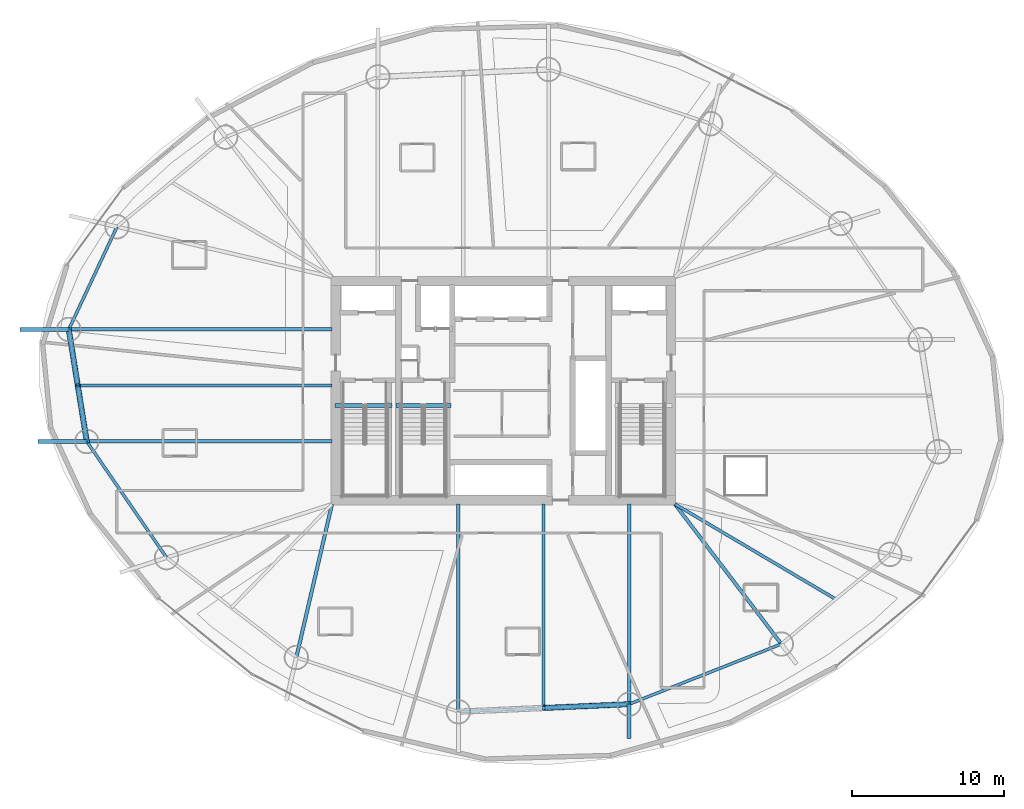
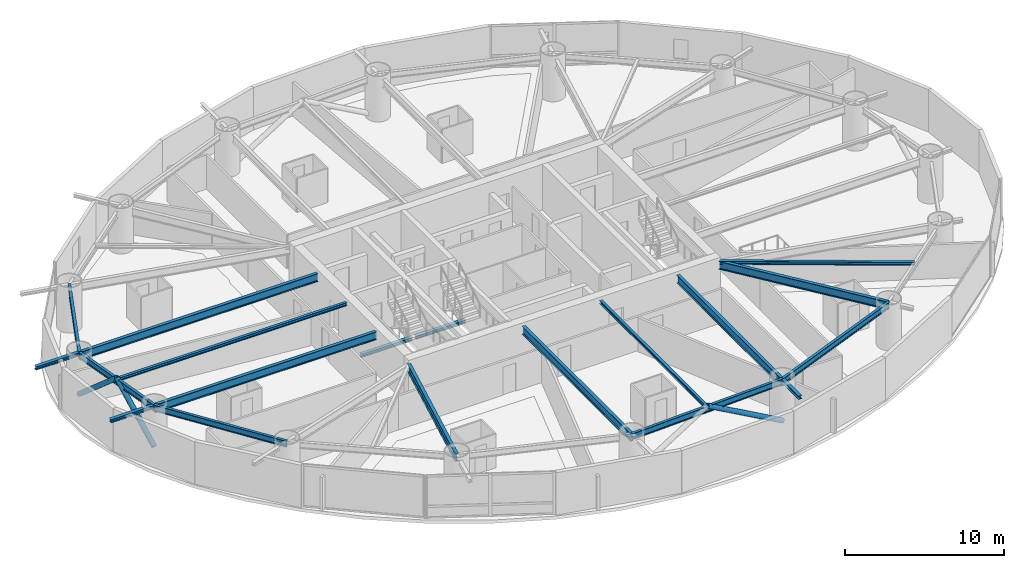
# One storey, part 5 of 20: 19 beams, 3 members.
"""IFC4 building model written with IfcOpenShell, lengths in metres."""

from ifc_helpers import new_model, si_unit, direction, frame, origin, origin_2d, place, context, subcontext, project, spatial, hollow_circle, i_section, extrude, material, material_profile, profile_set, type_object, element, save


model = new_model("IFC4")

# Units and contexts
model_context = context("Model", 3, precision=1e-05, world=origin(), true_north=direction((0.0, 1.0)))
body_context = subcontext(model_context, "Body", "Model", "MODEL_VIEW")
ifc_project = project(units=[si_unit("LENGTHUNIT", "METRE"), si_unit("AREAUNIT", "SQUARE_METRE"), si_unit("VOLUMEUNIT", "CUBIC_METRE"), si_unit("PLANEANGLEUNIT", "RADIAN"), si_unit("MASSUNIT", "GRAM", prefix="KILO")], contexts=[model_context])

# Site, building, storey
site_placement = place(None, origin())
site = spatial("IfcSite", under=ifc_project, at=site_placement, CompositionType="ELEMENT")
building_placement = place(site_placement, origin())
building = spatial("IfcBuilding", under=site, at=building_placement, Name="Bramvorn Convention Spire", CompositionType="ELEMENT")
storey_placement = place(building_placement, frame((0.0, 0.0, 58.89990234375)))
storey = spatial("IfcBuildingStorey", under=building, at=storey_placement, Name="L12", CompositionType="ELEMENT", Elevation=58.89990234375)

# Beams
ifc_material = material(Name="Steel CSA G40.21 Grade 350 (350W)", Category="steel")
ifc_material_profile_1 = material_profile(ifc_material, i_section(OverallWidth=0.201904296875, OverallDepth=0.2470703125, WebThickness=0.00732421875, FlangeThickness=0.010986328125, FilletRadius=0.011962890625, at=origin_2d()))
ifc_profile_set_1 = profile_set([ifc_material_profile_1], Name="Steel CSA G40.21 Grade 350 (350W) - W250X49")
beam_type_1 = type_object("IfcBeamType", Name="BM-W250X49", PredefinedType="JOIST", material=ifc_profile_set_1)
beam_1_placement = place(storey_placement, frame((26.75, 26.333984375, 3.126708984375), z_axis=(-1.0, 0.0, 0.0), x_axis=(0.0, -1.0, 0.0)))
element("IfcBeam", 1, at=beam_1_placement, inside=storey, type_object=beam_type_1, Name="L12 composite floor joist 09", PredefinedType="JOIST", context=body_context, shape_type="SweptSolid", body=[
    extrude(i_section(OverallWidth=0.201904296875, OverallDepth=0.2470703125, WebThickness=0.00732421875, FlangeThickness=0.010986328125, FilletRadius=0.011962890625, at=origin_2d()), origin(), (0.0, 0.0, 1.0), 16.67919921875),
])
beam_2_placement = place(storey_placement, frame((40.638427734375, 18.550048828125, 3.126708984375), z_axis=(0.0, -1.0, 0.0), x_axis=(1.0, 0.0, 0.0)))
element("IfcBeam", 2, at=beam_2_placement, inside=storey, type_object=beam_type_1, Name="L12 composite floor joist 13", PredefinedType="JOIST", context=body_context, shape_type="SweptSolid", body=[
    extrude(i_section(OverallWidth=0.201904296875, OverallDepth=0.2470703125, WebThickness=0.00732421875, FlangeThickness=0.010986328125, FilletRadius=0.011962890625, at=origin_2d()), origin(), (0.0, 0.0, 1.0), 13.372802734375),
])
beam_3_placement = place(storey_placement, frame((49.25, 18.550048828125, 3.126708984375), z_axis=(0.860664556648, -0.509172388223, 0.0), x_axis=(0.509172388223, 0.860664556648, 0.0)))
element("IfcBeam", 3, at=beam_3_placement, inside=storey, type_object=beam_type_1, Name="L12 composite floor joist 15", PredefinedType="JOIST", context=body_context, shape_type="SweptSolid", body=[
    extrude(i_section(OverallWidth=0.201904296875, OverallDepth=0.2470703125, WebThickness=0.00732421875, FlangeThickness=0.010986328125, FilletRadius=0.011962890625, at=origin_2d()), origin(), (0.0, 0.0, 1.0), 12.25048828125),
])
ifc_material_profile_2 = material_profile(ifc_material, i_section(OverallWidth=0.25390625, OverallDepth=0.2529296875, WebThickness=0.008544921875, FlangeThickness=0.01416015625, FilletRadius=0.011962890625, at=origin_2d()))
ifc_profile_set_2 = profile_set([ifc_material_profile_2], Name="Steel CSA G40.21 Grade 350 (350W) - W250X73")
beam_type_2 = type_object("IfcBeamType", Name="BM-W250X73", PredefinedType="BEAM", material=ifc_profile_set_2)
for number, where, z_axis, x_axis, name in (
    (4, (9.480224609375, 30.00830078125, 3.12353515625), (-1.0, 0.0, 0.0), (0.0, -1.0, 0.0), "L12 slab-edge cantilever tip beam MC09"),
    (5, (10.661376953125, 22.659912109375, 3.12353515625), (-1.0, 0.0, 0.0), (0.0, -1.0, 0.0), "L12 slab-edge cantilever tip beam MC10"),
):
    element("IfcBeam", number, at=place(storey_placement, frame(where, z_axis=z_axis, x_axis=x_axis)), inside=storey, type_object=beam_type_2, Name=name, PredefinedType="BEAM", context=body_context, shape_type="SweptSolid", body=[
        extrude(i_section(OverallWidth=0.25390625, OverallDepth=0.2529296875, WebThickness=0.008544921875, FlangeThickness=0.01416015625, FilletRadius=0.011962890625, at=origin_2d()), origin(), (0.0, 0.0, 1.0), 3.199951171875),
    ])
beam_4_placement = place(storey_placement, frame((46.23779296875, 5.42333984375, 3.12353515625), z_axis=(0.0, -1.0, 0.0), x_axis=(1.0, 0.0, 0.0)))
element("IfcBeam", 6, at=beam_4_placement, inside=storey, type_object=beam_type_2, Name="L12 slab-edge cantilever tip beam MC14", PredefinedType="BEAM", context=body_context, shape_type="SweptSolid", body=[
    extrude(i_section(OverallWidth=0.25390625, OverallDepth=0.2529296875, WebThickness=0.008544921875, FlangeThickness=0.01416015625, FilletRadius=0.011962890625, at=origin_2d()), origin(), (0.0, 0.0, 1.0), 2.251220703125),
])
beam_5_placement = place(storey_placement, frame((26.949951171875, 25.010009765625, -0.12646484375), z_axis=(1.0, 0.0, 0.0), x_axis=(0.0, 1.0, 0.0)))
element("IfcBeam", 7, at=beam_5_placement, inside=storey, type_object=beam_type_2, Name="L12 ST1 stair arrival header beam", PredefinedType="BEAM", context=body_context, shape_type="SweptSolid", body=[
    extrude(i_section(OverallWidth=0.25390625, OverallDepth=0.2529296875, WebThickness=0.008544921875, FlangeThickness=0.01416015625, FilletRadius=0.011962890625, at=origin_2d()), origin(), (0.0, 0.0, 1.0), 3.739990234375),
])
beam_6_placement = place(storey_placement, frame((30.949951171875, 25.010009765625, -0.12646484375), z_axis=(1.0, 0.0, 0.0), x_axis=(0.0, 1.0, 0.0)))
element("IfcBeam", 8, at=beam_6_placement, inside=storey, type_object=beam_type_2, Name="L12 ST3 stair arrival header beam", PredefinedType="BEAM", context=body_context, shape_type="SweptSolid", body=[
    extrude(i_section(OverallWidth=0.25390625, OverallDepth=0.2529296875, WebThickness=0.008544921875, FlangeThickness=0.01416015625, FilletRadius=0.011962890625, at=origin_2d()), origin(), (0.0, 0.0, 1.0), 3.610107421875),
])
ifc_material_profile_3 = material_profile(ifc_material, i_section(OverallWidth=0.194091796875, OverallDepth=0.468994140625, WebThickness=0.0126953125, FlangeThickness=0.0205078125, FilletRadius=0.01806640625, at=origin_2d()))
ifc_profile_set_3 = profile_set([ifc_material_profile_3], Name="Steel CSA G40.21 Grade 350 (350W) - W460X106")
beam_type_3 = type_object("IfcBeamType", Name="BM-W460X106", PredefinedType="SPANDREL", material=ifc_profile_set_3)
for number, where, z_axis, x_axis, name in (
    (9, (12.64111328125, 36.746337890625, 3.015625), (-0.424701955478, -0.9053332254, 0.0), (0.9053332254, -0.424701955478, 0.0), "L12 mega-column ring beam 08"),
    (10, (9.480224609375, 30.00830078125, 3.015625), (0.158699222824, -0.987326975563, 0.0), (0.987326975563, 0.158699222824, 0.0), "L12 mega-column ring beam 09"),
):
    element("IfcBeam", number, at=place(storey_placement, frame(where, z_axis=z_axis, x_axis=x_axis)), inside=storey, type_object=beam_type_3, Name=name, PredefinedType="SPANDREL", context=body_context, shape_type="SweptSolid", body=[
        extrude(i_section(OverallWidth=0.194091796875, OverallDepth=0.468994140625, WebThickness=0.0126953125, FlangeThickness=0.0205078125, FilletRadius=0.01806640625, at=origin_2d()), origin(), (0.0, 0.0, 1.0), 7.442626953125),
    ])
beam_7_placement = place(storey_placement, frame((10.661376953125, 22.659912109375, 3.015625), z_axis=(0.566129730789, -0.824316157743, 0.0), x_axis=(0.824316157743, 0.566129730789, 0.0)))
element("IfcBeam", 11, at=beam_7_placement, inside=storey, type_object=beam_type_3, Name="L12 mega-column ring beam 10", PredefinedType="SPANDREL", context=body_context, shape_type="SweptSolid", body=[
    extrude(i_section(OverallWidth=0.194091796875, OverallDepth=0.468994140625, WebThickness=0.0126953125, FlangeThickness=0.0205078125, FilletRadius=0.01806640625, at=origin_2d()), origin(), (0.0, 0.0, 1.0), 9.244140625),
])
beam_8_placement = place(storey_placement, frame((35.0390625, 4.93115234375, 3.015625), z_axis=(0.999035582762, 0.043907907889, 0.0), x_axis=(-0.043907907889, 0.999035582762, 0.0)))
element("IfcBeam", 12, at=beam_8_placement, inside=storey, type_object=beam_type_3, Name="L12 mega-column ring beam 13", PredefinedType="SPANDREL", context=body_context, shape_type="SweptSolid", body=[
    extrude(i_section(OverallWidth=0.194091796875, OverallDepth=0.468994140625, WebThickness=0.0126953125, FlangeThickness=0.0205078125, FilletRadius=0.01806640625, at=origin_2d()), origin(), (0.0, 0.0, 1.0), 11.20947265625),
])
beam_9_placement = place(storey_placement, frame((46.23779296875, 5.42333984375, 3.015625), z_axis=(0.93000950609, 0.367535465749, 0.0), x_axis=(-0.367535465749, 0.93000950609, 0.0)))
element("IfcBeam", 13, at=beam_9_placement, inside=storey, type_object=beam_type_3, Name="L12 mega-column ring beam 14", PredefinedType="SPANDREL", context=body_context, shape_type="SweptSolid", body=[
    extrude(i_section(OverallWidth=0.194091796875, OverallDepth=0.468994140625, WebThickness=0.0126953125, FlangeThickness=0.0205078125, FilletRadius=0.01806640625, at=origin_2d()), origin(), (0.0, 0.0, 1.0), 10.74169921875),
])
ifc_material_profile_4 = material_profile(ifc_material, i_section(OverallWidth=0.22998046875, OverallDepth=0.616943359375, WebThickness=0.01318359375, FlangeThickness=0.022216796875, FilletRadius=0.02001953125, at=origin_2d()))
ifc_profile_set_4 = profile_set([ifc_material_profile_4], Name="Steel CSA G40.21 Grade 350 (350W) - W610X140")
beam_type_4 = type_object("IfcBeamType", Name="BM-W610X140", PredefinedType="BEAM", material=ifc_profile_set_4)
beam_10_placement = place(storey_placement, frame((26.75, 30.00830078125, 2.941650390625), z_axis=(-1.0, 0.0, 0.0), x_axis=(0.0, -1.0, 0.0)))
element("IfcBeam", 14, at=beam_10_placement, inside=storey, type_object=beam_type_4, Name="L12 radial floor girder MC09", PredefinedType="BEAM", context=body_context, shape_type="SweptSolid", body=[
    extrude(i_section(OverallWidth=0.22998046875, OverallDepth=0.616943359375, WebThickness=0.01318359375, FlangeThickness=0.022216796875, FilletRadius=0.02001953125, at=origin_2d()), origin(), (0.0, 0.0, 1.0), 17.269775390625),
])
beam_11_placement = place(storey_placement, frame((26.75, 22.659912109375, 2.941650390625), z_axis=(-1.0, 0.0, 0.0), x_axis=(0.0, -1.0, 0.0)))
element("IfcBeam", 15, at=beam_11_placement, inside=storey, type_object=beam_type_4, Name="L12 radial floor girder MC10", PredefinedType="BEAM", context=body_context, shape_type="SweptSolid", body=[
    extrude(i_section(OverallWidth=0.22998046875, OverallDepth=0.616943359375, WebThickness=0.01318359375, FlangeThickness=0.022216796875, FilletRadius=0.02001953125, at=origin_2d()), origin(), (0.0, 0.0, 1.0), 16.088623046875),
])
beam_12_placement = place(storey_placement, frame((26.75, 18.550048828125, 2.941650390625), z_axis=(-0.226606328522, -0.973986433106, 0.0), x_axis=(0.973986433106, -0.226606328522, 0.0)))
element("IfcBeam", 16, at=beam_12_placement, inside=storey, type_object=beam_type_4, Name="L12 radial floor girder MC12", PredefinedType="BEAM", context=body_context, shape_type="SweptSolid", body=[
    extrude(i_section(OverallWidth=0.22998046875, OverallDepth=0.616943359375, WebThickness=0.01318359375, FlangeThickness=0.022216796875, FilletRadius=0.02001953125, at=origin_2d()), origin(), (0.0, 0.0, 1.0), 10.32763671875),
])
beam_13_placement = place(storey_placement, frame((35.0390625, 18.550048828125, 2.941650390625), z_axis=(0.0, -1.0, 0.0), x_axis=(1.0, 0.0, 0.0)))
element("IfcBeam", 17, at=beam_13_placement, inside=storey, type_object=beam_type_4, Name="L12 radial floor girder MC13", PredefinedType="BEAM", context=body_context, shape_type="SweptSolid", body=[
    extrude(i_section(OverallWidth=0.22998046875, OverallDepth=0.616943359375, WebThickness=0.01318359375, FlangeThickness=0.022216796875, FilletRadius=0.02001953125, at=origin_2d()), origin(), (0.0, 0.0, 1.0), 13.618896484375),
])
beam_14_placement = place(storey_placement, frame((46.23779296875, 18.550048828125, 2.941650390625), z_axis=(0.0, -1.0, 0.0), x_axis=(1.0, 0.0, 0.0)))
element("IfcBeam", 18, at=beam_14_placement, inside=storey, type_object=beam_type_4, Name="L12 radial floor girder MC14", PredefinedType="BEAM", context=body_context, shape_type="SweptSolid", body=[
    extrude(i_section(OverallWidth=0.22998046875, OverallDepth=0.616943359375, WebThickness=0.01318359375, FlangeThickness=0.022216796875, FilletRadius=0.02001953125, at=origin_2d()), origin(), (0.0, 0.0, 1.0), 13.126708984375),
])
beam_15_placement = place(storey_placement, frame((49.25, 18.550048828125, 2.941650390625), z_axis=(0.605191175112, -0.796080172826, 0.0), x_axis=(0.796080172826, 0.605191175112, 0.0)))
element("IfcBeam", 19, at=beam_15_placement, inside=storey, type_object=beam_type_4, Name="L12 radial floor girder MC15", PredefinedType="BEAM", context=body_context, shape_type="SweptSolid", body=[
    extrude(i_section(OverallWidth=0.22998046875, OverallDepth=0.616943359375, WebThickness=0.01318359375, FlangeThickness=0.022216796875, FilletRadius=0.02001953125, at=origin_2d()), origin(), (0.0, 0.0, 1.0), 11.52978515625),
])

# Members
ifc_material_profile_5 = material_profile(ifc_material, hollow_circle(Radius=0.177734375, WallThickness=0.015869140625, at=origin_2d()))
ifc_profile_set_5 = profile_set([ifc_material_profile_5], Name="Steel CSA G40.21 Grade 350 (350W) - CHS356X16")
member_type = type_object("IfcMemberType", Name="MBR-CHS356X16", PredefinedType="BRACE", material=ifc_profile_set_5)
member_1_placement = place(storey_placement, frame((9.480224609375, 30.00830078125, 0.0), z_axis=(0.119529553136, -0.743662577386, 0.657783138217), x_axis=(0.987327801673, 0.158694083206, 0.0)))
element("IfcMember", 20, at=member_1_placement, inside=storey, type_object=member_type, Name="L12 perimeter Gothic lancet brace 9A", PredefinedType="BRACE", context=body_context, shape_type="SweptSolid", body=[
    extrude(hollow_circle(Radius=0.177734375, WallThickness=0.015869140625, at=origin_2d()), origin(), (0.0, 0.0, 1.0), 4.94091796875),
])
member_2_placement = place(storey_placement, frame((10.661376953125, 22.659912109375, 0.0), z_axis=(-0.119533945519, 0.74364049033, 0.657807309939), x_axis=(-0.987326149374, -0.158704362771, 0.0)))
element("IfcMember", 21, at=member_2_placement, inside=storey, type_object=member_type, Name="L12 perimeter Gothic lancet brace 9B", PredefinedType="BRACE", context=body_context, shape_type="SweptSolid", body=[
    extrude(hollow_circle(Radius=0.177734375, WallThickness=0.015869140625, at=origin_2d()), origin(), (0.0, 0.0, 1.0), 4.940673828125),
])
member_3_placement = place(storey_placement, frame((46.23779296875, 5.42333984375, 0.0), z_axis=(-0.864248258726, -0.037983965328, 0.501629510363), x_axis=(0.043907907889, -0.999035582762, 0.0)))
element("IfcMember", 22, at=member_3_placement, inside=storey, type_object=member_type, Name="L12 perimeter Gothic lancet brace 13B", PredefinedType="BRACE", context=body_context, shape_type="SweptSolid", body=[
    extrude(hollow_circle(Radius=0.177734375, WallThickness=0.015869140625, at=origin_2d()), origin(), (0.0, 0.0, 1.0), 6.47900390625),
])

save(model, "model.ifc")
